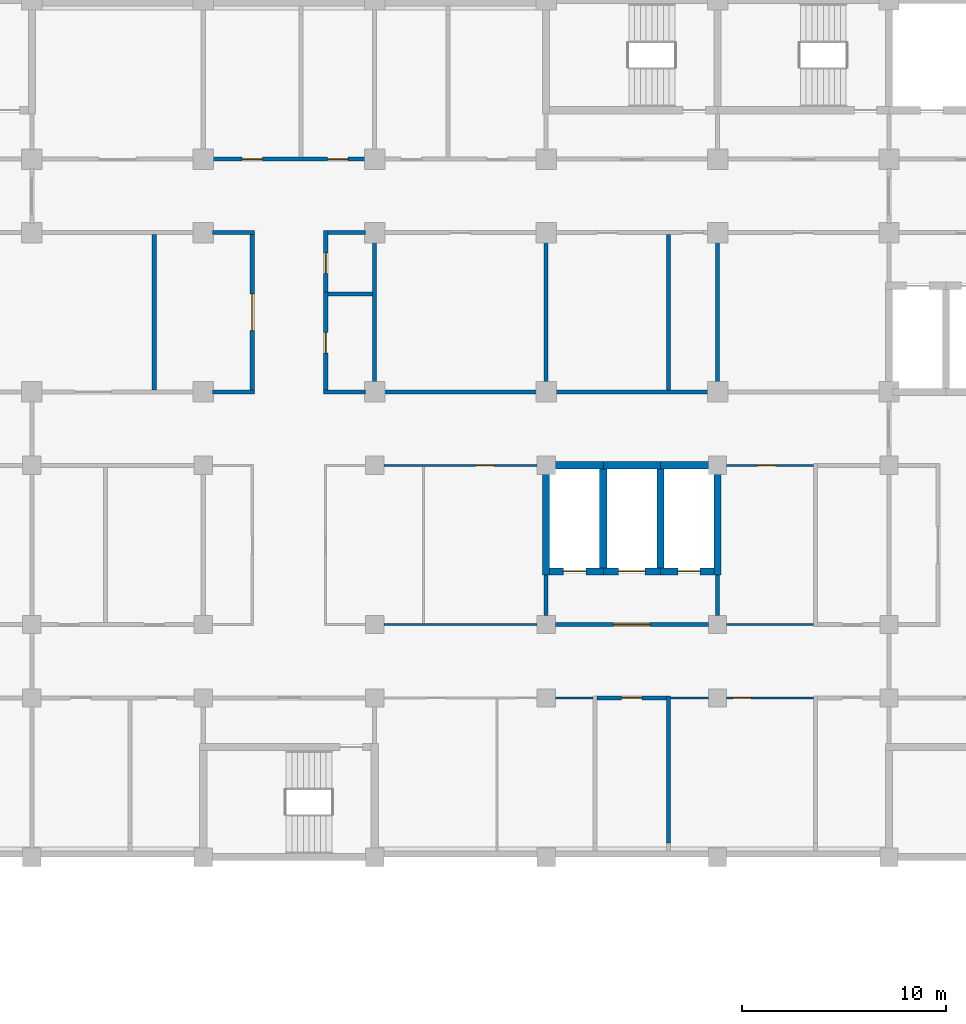
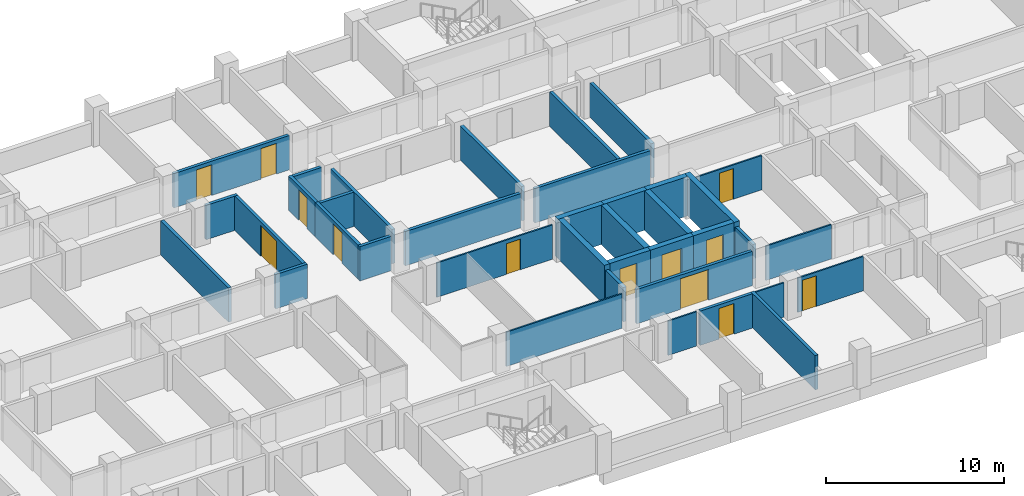
# One storey, part 50 of 89: 38 walls, 13 doors, 13 openings.
"""IFC4 building model written with IfcOpenShell, lengths in metres."""

from ifc_helpers import new_model, si_unit, direction, frame, frame_2d, origin, place, context, subcontext, project, spatial, rectangle, extrude, material, layer, layer_set, type_object, element, fill, save


model = new_model("IFC4")

# Units and contexts
model_context = context("Model", 3, precision=1e-05, world=origin(), true_north=direction((0.0, 1.0)))
body_context = subcontext(model_context, "Body", "Model", "MODEL_VIEW")
ifc_project = project(units=[si_unit("LENGTHUNIT", "METRE"), si_unit("AREAUNIT", "SQUARE_METRE"), si_unit("VOLUMEUNIT", "CUBIC_METRE"), si_unit("PLANEANGLEUNIT", "RADIAN"), si_unit("MASSUNIT", "GRAM", prefix="KILO")], contexts=[model_context])

# Site, building, storey
site_placement = place(None, origin())
site = spatial("IfcSite", under=ifc_project, at=site_placement, CompositionType="ELEMENT")
building_placement = place(site_placement, origin())
building = spatial("IfcBuilding", under=site, at=building_placement, Name="Bougainvillea Quay General Hospital", CompositionType="ELEMENT")
storey_placement = place(building_placement, frame((0.0, 0.0, 9.89990234375)))
storey = spatial("IfcBuildingStorey", under=building, at=storey_placement, Name="L01M", CompositionType="ELEMENT", Elevation=9.89990234375)

# Wall, opening, door
ifc_material_1 = material(Name="Gypsum board partition on steel studs", Category="steel")
ifc_layer_1 = layer(ifc_material_1, 0.10009765625)
ifc_layer_set_1 = layer_set([ifc_layer_1], Name="Gypsum board partition on steel studs")
wall_type_1 = type_object("IfcWallType", Name="Partition 100 Gypsum board partition", PredefinedType="PARTITIONING", material=ifc_layer_set_1)
wall_1_placement = place(storey_placement, frame((147.5, 136.800048828125, 0.0), z_axis=(0.0, 0.0, 1.0), x_axis=(-1.0, 0.0, 0.0)))
wall_1 = element("IfcWall", 1, at=wall_1_placement, inside=storey, type_object=wall_type_1, Name="Partition 100 mm", PredefinedType="PARTITIONING", context=body_context, shape_type="SweptSolid", body=[
    extrude(rectangle(XDim=4.25, YDim=0.10009765625, at=frame_2d((2.125, 0.0))), origin(), (0.0, 0.0, 1.0), 2.35009765625),
])
opening_1_placement = place(wall_1_placement, frame((1.85009765625, 0.0, 0.0)))
opening_1 = element("IfcOpeningElement", 2, at=opening_1_placement, cuts=wall_1, Name="Opening L01M.112", PredefinedType="OPENING", context=body_context, shape_type="SweptSolid", body=[
    extrude(rectangle(XDim=0.89990234375, YDim=2.10009765625, at=frame_2d((0.449951171875, 1.050048828125))), frame((0.0, 0.06005859375, 0.0), z_axis=(0.0, -1.0, 0.0), x_axis=(1.0, 0.0, 0.0)), (0.0, 0.0, 1.0), 0.1201171875),
])
ifc_material_2 = material(Name="Solid-core timber door leaf in steel frame", Category="steel")
door_type_1 = type_object("IfcDoorType", Name="Single leaf door 900x2100", OperationType="NOTDEFINED", PredefinedType="DOOR", material=ifc_material_2)
door_1_placement = place(opening_1_placement, origin())
door_1 = element("IfcDoor", 3, at=door_1_placement, inside=storey, type_object=door_type_1, Name="DT07 L01M.112", OperationType="SINGLE_SWING_RIGHT", OverallHeight=2.10009765625, OverallWidth=0.89990234375, PredefinedType="DOOR", context=body_context, shape_type="SweptSolid", body=[
    extrude(rectangle(XDim=0.89990234375, YDim=2.10009765625, at=frame_2d((0.449951171875, 1.050048828125))), frame((0.0, 0.02490234375, 0.0), z_axis=(0.0, -1.0, 0.0), x_axis=(1.0, 0.0, 0.0)), (0.0, 0.0, 1.0), 0.050048828125),
])
fill(opening_1, door_1)

wall_2_placement = place(storey_placement, frame((133.949951171875, 136.800048828125, 0.0), z_axis=(0.0, 0.0, 1.0), x_axis=(-1.0, 0.0, 0.0)))
wall_2 = element("IfcWall", 4, at=wall_2_placement, inside=storey, type_object=wall_type_1, Name="Partition 100 mm", PredefinedType="PARTITIONING", context=body_context, shape_type="SweptSolid", body=[
    extrude(rectangle(XDim=7.5, YDim=0.10009765625, at=frame_2d((3.75, 0.0))), origin(), (0.0, 0.0, 1.0), 2.35009765625),
])
opening_2_placement = place(wall_2_placement, frame((2.10009765625, 0.0, 0.0)))
opening_2 = element("IfcOpeningElement", 5, at=opening_2_placement, cuts=wall_2, Name="Opening L01M.111", PredefinedType="OPENING", context=body_context, shape_type="SweptSolid", body=[
    extrude(rectangle(XDim=0.89990234375, YDim=2.10009765625, at=frame_2d((0.449951171875, 1.050048828125))), frame((0.0, 0.06005859375, 0.0), z_axis=(0.0, -1.0, 0.0), x_axis=(1.0, 0.0, 0.0)), (0.0, 0.0, 1.0), 0.1201171875),
])
door_2_placement = place(opening_2_placement, origin())
door_2 = element("IfcDoor", 6, at=door_2_placement, inside=storey, type_object=door_type_1, Name="DT07 L01M.111", OperationType="SINGLE_SWING_LEFT", OverallHeight=2.10009765625, OverallWidth=0.89990234375, PredefinedType="DOOR", context=body_context, shape_type="SweptSolid", body=[
    extrude(rectangle(XDim=0.89990234375, YDim=2.10009765625, at=frame_2d((0.449951171875, 1.050048828125))), frame((0.0, 0.02490234375, 0.0), z_axis=(0.0, -1.0, 0.0), x_axis=(1.0, 0.0, 0.0)), (0.0, 0.0, 1.0), 0.050048828125),
])
fill(opening_2, door_2)

# Walls
wall_3_placement = place(storey_placement, frame((126.449951171875, 129.0, 0.0), z_axis=(0.0, 0.0, 1.0), x_axis=(1.0, 0.0, 0.0)))
element("IfcWall", 7, at=wall_3_placement, inside=storey, type_object=wall_type_1, Name="Partition 100 mm", PredefinedType="PARTITIONING", context=body_context, shape_type="SweptSolid", body=[
    extrude(rectangle(XDim=7.5, YDim=0.10009765625, at=frame_2d((3.75, 0.0))), origin(), (0.0, 0.0, 1.0), 2.35009765625),
])
wall_4_placement = place(storey_placement, frame((134.85009765625, 125.39990234375, 0.0), z_axis=(0.0, 0.0, 1.0), x_axis=(1.0, 0.0, 0.0)))
element("IfcWall", 8, at=wall_4_placement, inside=storey, type_object=wall_type_1, Name="Partition 100 mm", PredefinedType="PARTITIONING", context=body_context, shape_type="SweptSolid", body=[
    extrude(rectangle(XDim=1.847900390625, YDim=0.10009765625, at=frame_2d((0.923828125, 0.0))), origin(), (0.0, 0.0, 1.0), 2.35009765625),
])
wall_5_placement = place(storey_placement, frame((140.498046875, 125.39990234375, 0.0), z_axis=(0.0, 0.0, 1.0), x_axis=(1.0, 0.0, 0.0)))
element("IfcWall", 9, at=wall_5_placement, inside=storey, type_object=wall_type_1, Name="Partition 100 mm", PredefinedType="PARTITIONING", context=body_context, shape_type="SweptSolid", body=[
    extrude(rectangle(XDim=1.85205078125, YDim=0.10009765625, at=frame_2d((0.926025390625, 0.0))), origin(), (0.0, 0.0, 1.0), 2.35009765625),
])

# Wall, opening, door
wall_6_placement = place(storey_placement, frame((143.25, 125.39990234375, 0.0), z_axis=(0.0, 0.0, 1.0), x_axis=(1.0, 0.0, 0.0)))
wall_6 = element("IfcWall", 10, at=wall_6_placement, inside=storey, type_object=wall_type_1, Name="Partition 100 mm", PredefinedType="PARTITIONING", context=body_context, shape_type="SweptSolid", body=[
    extrude(rectangle(XDim=4.248046875, YDim=0.10009765625, at=frame_2d((2.1240234375, 0.0))), origin(), (0.0, 0.0, 1.0), 2.35009765625),
])
opening_3_placement = place(wall_6_placement, frame((0.298095703125, 0.0, 0.0)))
opening_3 = element("IfcOpeningElement", 11, at=opening_3_placement, cuts=wall_6, Name="Opening L01M.107", PredefinedType="OPENING", context=body_context, shape_type="SweptSolid", body=[
    extrude(rectangle(XDim=0.89990234375, YDim=2.10009765625, at=frame_2d((0.449951171875, 1.050048828125))), frame((0.0, 0.06005859375, 0.0), z_axis=(0.0, -1.0, 0.0), x_axis=(1.0, 0.0, 0.0)), (0.0, 0.0, 1.0), 0.1201171875),
])
door_3_placement = place(opening_3_placement, frame((0.89990234375, 0.0, 0.0), z_axis=(0.0, 0.0, 1.0), x_axis=(-1.0, 0.0, 0.0)))
door_3 = element("IfcDoor", 12, at=door_3_placement, inside=storey, type_object=door_type_1, Name="DT07 L01M.107", OperationType="SINGLE_SWING_RIGHT", OverallHeight=2.10009765625, OverallWidth=0.89990234375, PredefinedType="DOOR", context=body_context, shape_type="SweptSolid", body=[
    extrude(rectangle(XDim=0.89990234375, YDim=2.10009765625, at=frame_2d((0.449951171875, 1.050048828125))), frame((0.0, 0.02490234375, 0.0), z_axis=(0.0, -1.0, 0.0), x_axis=(1.0, 0.0, 0.0)), (0.0, 0.0, 1.0), 0.050048828125),
])
fill(opening_3, door_3)

# Wall
wall_7_placement = place(storey_placement, frame((143.25, 129.0, 0.0), z_axis=(0.0, 0.0, 1.0), x_axis=(1.0, 0.0, 0.0)))
element("IfcWall", 13, at=wall_7_placement, inside=storey, type_object=wall_type_1, Name="Partition 100 mm", PredefinedType="PARTITIONING", context=body_context, shape_type="SweptSolid", body=[
    extrude(rectangle(XDim=4.25, YDim=0.10009765625, at=frame_2d((2.125, 0.0))), origin(), (0.0, 0.0, 1.0), 2.35009765625),
])

# Wall, openings, doors
ifc_material_3 = material(Name="Fire-rated autoclaved aerated block wall, plastered")
ifc_layer_2 = layer(ifc_material_3, 0.199951171875)
ifc_layer_set_2 = layer_set([ifc_layer_2], Name="Fire-rated autoclaved aerated block wall, plastered")
wall_type_2 = type_object("IfcWallType", Name="Partition 200 Fire-rated autoclaved aerated block wall EI 120", PredefinedType="SOLIDWALL", material=ifc_layer_set_2)
wall_8_placement = place(storey_placement, frame((125.550048828125, 151.800048828125, 0.0), z_axis=(0.0, 0.0, 1.0), x_axis=(-1.0, 0.0, 0.0)))
wall_8 = element("IfcWall", 14, at=wall_8_placement, inside=storey, type_object=wall_type_2, Name="Partition 200 mm EI 120", PredefinedType="SOLIDWALL", context=body_context, shape_type="SweptSolid", body=[
    extrude(rectangle(XDim=7.5, YDim=0.199951171875, at=frame_2d((3.75, 0.0))), origin(), (0.0, 0.0, 1.0), 2.35009765625),
])
opening_4_placement = place(wall_8_placement, frame((5.052001953125, 0.0, 0.0)))
opening_4 = element("IfcOpeningElement", 15, at=opening_4_placement, cuts=wall_8, Name="Opening L01M.142", PredefinedType="OPENING", context=body_context, shape_type="SweptSolid", body=[
    extrude(rectangle(XDim=1.0, YDim=2.10009765625, at=frame_2d((0.5, 1.050048828125))), frame((0.0, 0.10986328125, 0.0), z_axis=(0.0, -1.0, 0.0), x_axis=(1.0, 0.0, 0.0)), (0.0, 0.0, 1.0), 0.219970703125),
])
opening_5_placement = place(wall_8_placement, frame((0.85107421875, 0.0, 0.0)))
opening_5 = element("IfcOpeningElement", 16, at=opening_5_placement, cuts=wall_8, Name="Opening L01M.143", PredefinedType="OPENING", context=body_context, shape_type="SweptSolid", body=[
    extrude(rectangle(XDim=1.0, YDim=2.10009765625, at=frame_2d((0.5, 1.050048828125))), frame((0.0, 0.10986328125, 0.0), z_axis=(0.0, -1.0, 0.0), x_axis=(1.0, 0.0, 0.0)), (0.0, 0.0, 1.0), 0.219970703125),
])
ifc_material_4 = material(Name="Steel fire door leaf in steel frame", Category="steel")
door_type_2 = type_object("IfcDoorType", Name="Steel single leaf door 1000x2100 FD90", OperationType="NOTDEFINED", PredefinedType="DOOR", material=ifc_material_4)
door_4_placement = place(opening_4_placement, frame((1.0, 0.0, 0.0), z_axis=(0.0, 0.0, 1.0), x_axis=(-1.0, 0.0, 0.0)))
door_4 = element("IfcDoor", 17, at=door_4_placement, inside=storey, type_object=door_type_2, Name="DT11 L01M.142", OperationType="SINGLE_SWING_LEFT", OverallHeight=2.10009765625, OverallWidth=1.0, PredefinedType="DOOR", context=body_context, shape_type="SweptSolid", body=[
    extrude(rectangle(XDim=1.0, YDim=2.10009765625, at=frame_2d((0.5, 1.050048828125))), frame((0.0, 0.02490234375, 0.0), z_axis=(0.0, -1.0, 0.0), x_axis=(1.0, 0.0, 0.0)), (0.0, 0.0, 1.0), 0.050048828125),
])
fill(opening_4, door_4)
door_5_placement = place(opening_5_placement, frame((1.0, 0.0, 0.0), z_axis=(0.0, 0.0, 1.0), x_axis=(-1.0, 0.0, 0.0)))
door_5 = element("IfcDoor", 18, at=door_5_placement, inside=storey, type_object=door_type_2, Name="DT11 L01M.143", OperationType="SINGLE_SWING_RIGHT", OverallHeight=2.10009765625, OverallWidth=1.0, PredefinedType="DOOR", context=body_context, shape_type="SweptSolid", body=[
    extrude(rectangle(XDim=1.0, YDim=2.10009765625, at=frame_2d((0.5, 1.050048828125))), frame((0.0, 0.02490234375, 0.0), z_axis=(0.0, -1.0, 0.0), x_axis=(1.0, 0.0, 0.0)), (0.0, 0.0, 1.0), 0.050048828125),
])
fill(opening_5, door_5)

# Walls
for number, where, z_axis, x_axis, name in (
    (19, (142.35009765625, 140.39990234375, 0.0), (0.0, 0.0, 1.0), (-1.0, 0.0, 0.0), "Partition 200 mm EI 120"),
    (20, (133.949951171875, 140.39990234375, 0.0), (0.0, 0.0, 1.0), (-1.0, 0.0, 0.0), "Partition 200 mm EI 120"),
):
    element("IfcWall", number, at=place(storey_placement, frame(where, z_axis=z_axis, x_axis=x_axis)), inside=storey, type_object=wall_type_2, Name=name, PredefinedType="SOLIDWALL", context=body_context, shape_type="SweptSolid", body=[
        extrude(rectangle(XDim=7.5, YDim=0.199951171875, at=frame_2d((3.75, 0.0))), origin(), (0.0, 0.0, 1.0), 2.35009765625),
    ])
for number, where, z_axis, x_axis, name in (
    (21, (125.550048828125, 140.39990234375, 0.0), (0.0, 0.0, 1.0), (-1.0, 0.0, 0.0), "Partition 200 mm EI 120"),
    (22, (120.10009765625, 140.39990234375, 0.0), (0.0, 0.0, 1.0), (-1.0, 0.0, 0.0), "Partition 200 mm EI 120"),
    (23, (120.10009765625, 148.199951171875, 0.0), (0.0, 0.0, 1.0), (-1.0, 0.0, 0.0), "Partition 200 mm EI 120"),
):
    element("IfcWall", number, at=place(storey_placement, frame(where, z_axis=z_axis, x_axis=x_axis)), inside=storey, type_object=wall_type_2, Name=name, PredefinedType="SOLIDWALL", context=body_context, shape_type="SweptSolid", body=[
        extrude(rectangle(XDim=2.050048828125, YDim=0.199951171875, at=frame_2d((1.02490234375, 0.0))), origin(), (0.0, 0.0, 1.0), 2.35009765625),
    ])

# Wall, opening, door
wall_9_placement = place(storey_placement, frame((134.85009765625, 129.0, 0.0), z_axis=(0.0, 0.0, 1.0), x_axis=(1.0, 0.0, 0.0)))
wall_9 = element("IfcWall", 24, at=wall_9_placement, inside=storey, type_object=wall_type_2, Name="Partition 200 mm EI 120", PredefinedType="SOLIDWALL", context=body_context, shape_type="SweptSolid", body=[
    extrude(rectangle(XDim=7.5, YDim=0.199951171875, at=frame_2d((3.75, 0.0))), origin(), (0.0, 0.0, 1.0), 2.35009765625),
])
opening_6_placement = place(wall_9_placement, frame((2.85009765625, 0.0, 0.0)))
opening_6 = element("IfcOpeningElement", 25, at=opening_6_placement, cuts=wall_9, Name="Opening L01M.046", PredefinedType="OPENING", context=body_context, shape_type="SweptSolid", body=[
    extrude(rectangle(XDim=1.800048828125, YDim=2.10009765625, at=frame_2d((0.89990234375, 1.050048828125))), frame((0.0, 0.10986328125, 0.0), z_axis=(0.0, -1.0, 0.0), x_axis=(1.0, 0.0, 0.0)), (0.0, 0.0, 1.0), 0.219970703125),
])
ifc_material_5 = material(Name="Steel fire door leaves in steel frame", Category="steel")
door_type_3 = type_object("IfcDoorType", Name="Steel double leaf door 1800x2100 FD60", OperationType="DOUBLE_DOOR_SINGLE_SWING", PredefinedType="DOOR", material=ifc_material_5)
door_6_placement = place(opening_6_placement, origin())
door_6 = element("IfcDoor", 26, at=door_6_placement, inside=storey, type_object=door_type_3, Name="DT05 L01M.046", OperationType="DOUBLE_DOOR_SINGLE_SWING", OverallHeight=2.10009765625, OverallWidth=1.800048828125, PredefinedType="DOOR", context=body_context, shape_type="SweptSolid", body=[
    extrude(rectangle(XDim=1.800048828125, YDim=2.10009765625, at=frame_2d((0.89990234375, 1.050048828125))), frame((0.0, 0.02490234375, 0.0), z_axis=(0.0, -1.0, 0.0), x_axis=(1.0, 0.0, 0.0)), (0.0, 0.0, 1.0), 0.050048828125),
])
fill(opening_6, door_6)

# Wall
wall_10_placement = place(storey_placement, frame((115.199951171875, 140.5, 0.0), z_axis=(0.0, 0.0, 1.0), x_axis=(0.0, 1.0, 0.0)))
element("IfcWall", 27, at=wall_10_placement, inside=storey, type_object=wall_type_2, Name="Partition 200 mm EI 120", PredefinedType="SOLIDWALL", context=body_context, shape_type="SweptSolid", body=[
    extrude(rectangle(XDim=7.60009765625, YDim=0.199951171875, at=frame_2d((3.800048828125, 0.0))), origin(), (0.0, 0.0, 1.0), 2.35009765625),
])

# Wall, opening, door
wall_11_placement = place(storey_placement, frame((120.0, 140.5, 0.0), z_axis=(0.0, 0.0, 1.0), x_axis=(0.0, 1.0, 0.0)))
wall_11 = element("IfcWall", 28, at=wall_11_placement, inside=storey, type_object=wall_type_2, Name="Partition 200 mm EI 120", PredefinedType="SOLIDWALL", context=body_context, shape_type="SweptSolid", body=[
    extrude(rectangle(XDim=7.60009765625, YDim=0.199951171875, at=frame_2d((3.800048828125, 0.0))), origin(), (0.0, 0.0, 1.0), 2.35009765625),
])
opening_7_placement = place(wall_11_placement, frame((2.89990234375, 0.0, 0.0)))
opening_7 = element("IfcOpeningElement", 29, at=opening_7_placement, cuts=wall_11, Name="Opening L01M.146", PredefinedType="OPENING", context=body_context, shape_type="SweptSolid", body=[
    extrude(rectangle(XDim=1.800048828125, YDim=2.10009765625, at=frame_2d((0.89990234375, 1.050048828125))), frame((0.0, 0.10986328125, 0.0), z_axis=(0.0, -1.0, 0.0), x_axis=(1.0, 0.0, 0.0)), (0.0, 0.0, 1.0), 0.219970703125),
])
door_type_4 = type_object("IfcDoorType", Name="Steel double leaf door 1800x2100 FD90", OperationType="DOUBLE_DOOR_SINGLE_SWING", PredefinedType="DOOR", material=ifc_material_5)
door_7_placement = place(opening_7_placement, origin())
door_7 = element("IfcDoor", 30, at=door_7_placement, inside=storey, type_object=door_type_4, Name="DT03 L01M.146", OperationType="DOUBLE_DOOR_SINGLE_SWING", OverallHeight=2.10009765625, OverallWidth=1.800048828125, PredefinedType="DOOR", context=body_context, shape_type="SweptSolid", body=[
    extrude(rectangle(XDim=1.800048828125, YDim=2.10009765625, at=frame_2d((0.89990234375, 1.050048828125))), frame((0.0, 0.02490234375, 0.0), z_axis=(0.0, -1.0, 0.0), x_axis=(1.0, 0.0, 0.0)), (0.0, 0.0, 1.0), 0.050048828125),
])
fill(opening_7, door_7)

# Walls
for number, where, z_axis, x_axis, name in (
    (31, (126.0, 140.85009765625, 0.0), (0.0, 0.0, 1.0), (0.0, 1.0, 0.0), "Partition 200 mm EI 120"),
    (32, (134.39990234375, 140.85009765625, 0.0), (0.0, 0.0, 1.0), (0.0, 1.0, 0.0), "Partition 200 mm EI 120"),
):
    element("IfcWall", number, at=place(storey_placement, frame(where, z_axis=z_axis, x_axis=x_axis)), inside=storey, type_object=wall_type_2, Name=name, PredefinedType="SOLIDWALL", context=body_context, shape_type="SweptSolid", body=[
        extrude(rectangle(XDim=6.89990234375, YDim=0.199951171875, at=frame_2d((3.449951171875, 0.0))), origin(), (0.0, 0.0, 1.0), 2.35009765625),
    ])
wall_12_placement = place(storey_placement, frame((140.39990234375, 140.5, 0.0), z_axis=(0.0, 0.0, 1.0), x_axis=(0.0, 1.0, 0.0)))
element("IfcWall", 33, at=wall_12_placement, inside=storey, type_object=wall_type_2, Name="Partition 200 mm EI 120", PredefinedType="SOLIDWALL", context=body_context, shape_type="SweptSolid", body=[
    extrude(rectangle(XDim=7.60009765625, YDim=0.199951171875, at=frame_2d((3.800048828125, 0.0))), origin(), (0.0, 0.0, 1.0), 2.35009765625),
])
wall_13_placement = place(storey_placement, frame((142.800048828125, 140.85009765625, 0.0), z_axis=(0.0, 0.0, 1.0), x_axis=(0.0, 1.0, 0.0)))
element("IfcWall", 34, at=wall_13_placement, inside=storey, type_object=wall_type_2, Name="Partition 200 mm EI 120", PredefinedType="SOLIDWALL", context=body_context, shape_type="SweptSolid", body=[
    extrude(rectangle(XDim=6.89990234375, YDim=0.199951171875, at=frame_2d((3.449951171875, 0.0))), origin(), (0.0, 0.0, 1.0), 2.35009765625),
])

# Wall, opening, door
wall_14_placement = place(storey_placement, frame((123.60009765625, 140.5, 0.0), z_axis=(0.0, 0.0, 1.0), x_axis=(0.0, 1.0, 0.0)))
wall_14 = element("IfcWall", 35, at=wall_14_placement, inside=storey, type_object=wall_type_2, Name="Partition 200 mm EI 120", PredefinedType="SOLIDWALL", context=body_context, shape_type="SweptSolid", body=[
    extrude(rectangle(XDim=4.800048828125, YDim=0.199951171875, at=frame_2d((2.39990234375, 0.0))), origin(), (0.0, 0.0, 1.0), 2.35009765625),
])
opening_8_placement = place(wall_14_placement, frame((1.800048828125, 0.0, 0.0)))
opening_8 = element("IfcOpeningElement", 36, at=opening_8_placement, cuts=wall_14, Name="Opening L01M.147", PredefinedType="OPENING", context=body_context, shape_type="SweptSolid", body=[
    extrude(rectangle(XDim=1.0, YDim=2.10009765625, at=frame_2d((0.5, 1.050048828125))), frame((0.0, 0.10986328125, 0.0), z_axis=(0.0, -1.0, 0.0), x_axis=(1.0, 0.0, 0.0)), (0.0, 0.0, 1.0), 0.219970703125),
])
door_8_placement = place(opening_8_placement, frame((1.0, 0.0, 0.0), z_axis=(0.0, 0.0, 1.0), x_axis=(-1.0, 0.0, 0.0)))
door_8 = element("IfcDoor", 37, at=door_8_placement, inside=storey, type_object=door_type_2, Name="DT11 L01M.147", OperationType="SINGLE_SWING_RIGHT", OverallHeight=2.10009765625, OverallWidth=1.0, PredefinedType="DOOR", context=body_context, shape_type="SweptSolid", body=[
    extrude(rectangle(XDim=1.0, YDim=2.10009765625, at=frame_2d((0.5, 1.050048828125))), frame((0.0, 0.02490234375, 0.0), z_axis=(0.0, -1.0, 0.0), x_axis=(1.0, 0.0, 0.0)), (0.0, 0.0, 1.0), 0.050048828125),
])
fill(opening_8, door_8)

# Walls
for number, where, z_axis, x_axis, name in (
    (38, (134.39990234375, 129.449951171875, 0.0), (0.0, 0.0, 1.0), (0.0, 1.0, 0.0), "Partition 200 mm EI 120"),
    (39, (142.800048828125, 129.449951171875, 0.0), (0.0, 0.0, 1.0), (0.0, 1.0, 0.0), "Partition 200 mm EI 120"),
):
    element("IfcWall", number, at=place(storey_placement, frame(where, z_axis=z_axis, x_axis=x_axis)), inside=storey, type_object=wall_type_2, Name=name, PredefinedType="SOLIDWALL", context=body_context, shape_type="SweptSolid", body=[
        extrude(rectangle(XDim=1.97509765625, YDim=0.199951171875, at=frame_2d((0.987548828125, 0.0))), origin(), (0.0, 0.0, 1.0), 2.35009765625),
    ])
wall_15_placement = place(storey_placement, frame((123.699951171875, 145.199951171875, 0.0), z_axis=(0.0, 0.0, 1.0), x_axis=(1.0, 0.0, 0.0)))
element("IfcWall", 40, at=wall_15_placement, inside=storey, type_object=wall_type_2, Name="Partition 200 mm EI 120", PredefinedType="SOLIDWALL", context=body_context, shape_type="SweptSolid", body=[
    extrude(rectangle(XDim=2.199951171875, YDim=0.199951171875, at=frame_2d((1.10009765625, 0.0))), origin(), (0.0, 0.0, 1.0), 2.35009765625),
])
ifc_layer_3 = layer(ifc_material_3, 0.199951171875)
ifc_layer_set_3 = layer_set([ifc_layer_3], Name="Fire-rated autoclaved aerated block wall, plastered")
wall_type_3 = type_object("IfcWallType", Name="Partition 200 Fire-rated autoclaved aerated block wall EI 60", PredefinedType="SOLIDWALL", material=ifc_layer_set_3)
wall_16_placement = place(storey_placement, frame((140.39794921875, 118.300048828125, 0.0), z_axis=(0.0, 0.0, 1.0), x_axis=(0.0, 1.0, 0.0)))
element("IfcWall", 41, at=wall_16_placement, inside=storey, type_object=wall_type_3, Name="Partition 200 mm EI 60", PredefinedType="SOLIDWALL", context=body_context, shape_type="SweptSolid", body=[
    extrude(rectangle(XDim=7.199951171875, YDim=0.199951171875, at=frame_2d((3.60009765625, 0.0))), origin(), (0.0, 0.0, 1.0), 2.35009765625),
])

# Wall, opening, door
wall_17_placement = place(storey_placement, frame((136.89794921875, 125.39990234375, 0.0), z_axis=(0.0, 0.0, 1.0), x_axis=(1.0, 0.0, 0.0)))
wall_17 = element("IfcWall", 42, at=wall_17_placement, inside=storey, type_object=wall_type_3, Name="Partition 200 mm EI 60", PredefinedType="SOLIDWALL", context=body_context, shape_type="SweptSolid", body=[
    extrude(rectangle(XDim=3.400146484375, YDim=0.199951171875, at=frame_2d((1.7001953125, 0.0))), origin(), (0.0, 0.0, 1.0), 2.35009765625),
])
opening_9_placement = place(wall_17_placement, frame((1.199951171875, 0.0, 0.0)))
opening_9 = element("IfcOpeningElement", 43, at=opening_9_placement, cuts=wall_17, Name="Opening L01M.106", PredefinedType="OPENING", context=body_context, shape_type="SweptSolid", body=[
    extrude(rectangle(XDim=1.0, YDim=2.10009765625, at=frame_2d((0.5, 1.050048828125))), frame((0.0, 0.10986328125, 0.0), z_axis=(0.0, -1.0, 0.0), x_axis=(1.0, 0.0, 0.0)), (0.0, 0.0, 1.0), 0.219970703125),
])
door_type_5 = type_object("IfcDoorType", Name="Steel single leaf door 1000x2100 FD60", OperationType="NOTDEFINED", PredefinedType="DOOR", material=ifc_material_4)
door_9_placement = place(opening_9_placement, frame((1.0, 0.0, 0.0), z_axis=(0.0, 0.0, 1.0), x_axis=(-1.0, 0.0, 0.0)))
door_9 = element("IfcDoor", 44, at=door_9_placement, inside=storey, type_object=door_type_5, Name="DT10 L01M.106", OperationType="SINGLE_SWING_RIGHT", OverallHeight=2.10009765625, OverallWidth=1.0, PredefinedType="DOOR", context=body_context, shape_type="SweptSolid", body=[
    extrude(rectangle(XDim=1.0, YDim=2.10009765625, at=frame_2d((0.5, 1.050048828125))), frame((0.0, 0.02490234375, 0.0), z_axis=(0.0, -1.0, 0.0), x_axis=(1.0, 0.0, 0.0)), (0.0, 0.0, 1.0), 0.050048828125),
])
fill(opening_9, door_9)

wall_18_placement = place(storey_placement, frame((123.60009765625, 145.300048828125, 0.0), z_axis=(0.0, 0.0, 1.0), x_axis=(0.0, 1.0, 0.0)))
wall_18 = element("IfcWall", 45, at=wall_18_placement, inside=storey, type_object=wall_type_3, Name="Partition 200 mm EI 60", PredefinedType="SOLIDWALL", context=body_context, shape_type="SweptSolid", body=[
    extrude(rectangle(XDim=3.0, YDim=0.199951171875, at=frame_2d((1.5, 0.0))), origin(), (0.0, 0.0, 1.0), 2.35009765625),
])
opening_10_placement = place(wall_18_placement, frame((0.89990234375, 0.0, 0.0)))
opening_10 = element("IfcOpeningElement", 46, at=opening_10_placement, cuts=wall_18, Name="Opening L01M.148", PredefinedType="OPENING", context=body_context, shape_type="SweptSolid", body=[
    extrude(rectangle(XDim=1.0, YDim=2.10009765625, at=frame_2d((0.5, 1.050048828125))), frame((0.0, 0.10986328125, 0.0), z_axis=(0.0, -1.0, 0.0), x_axis=(1.0, 0.0, 0.0)), (0.0, 0.0, 1.0), 0.219970703125),
])
door_10_placement = place(opening_10_placement, frame((1.0, 0.0, 0.0), z_axis=(0.0, 0.0, 1.0), x_axis=(-1.0, 0.0, 0.0)))
door_10 = element("IfcDoor", 47, at=door_10_placement, inside=storey, type_object=door_type_5, Name="DT10 L01M.148", OperationType="SINGLE_SWING_RIGHT", OverallHeight=2.10009765625, OverallWidth=1.0, PredefinedType="DOOR", context=body_context, shape_type="SweptSolid", body=[
    extrude(rectangle(XDim=1.0, YDim=2.10009765625, at=frame_2d((0.5, 1.050048828125))), frame((0.0, 0.02490234375, 0.0), z_axis=(0.0, -1.0, 0.0), x_axis=(1.0, 0.0, 0.0)), (0.0, 0.0, 1.0), 0.050048828125),
])
fill(opening_10, door_10)

# Walls
wall_19_placement = place(storey_placement, frame((123.699951171875, 148.199951171875, 0.0), z_axis=(0.0, 0.0, 1.0), x_axis=(1.0, 0.0, 0.0)))
element("IfcWall", 48, at=wall_19_placement, inside=storey, type_object=wall_type_3, Name="Partition 200 mm EI 60", PredefinedType="SOLIDWALL", context=body_context, shape_type="SweptSolid", body=[
    extrude(rectangle(XDim=1.85009765625, YDim=0.199951171875, at=frame_2d((0.925048828125, 0.0))), origin(), (0.0, 0.0, 1.0), 2.35009765625),
])
ifc_material_6 = material(Name="Concrete C40", Category="concrete")
ifc_layer_4 = layer(ifc_material_6, 0.35009765625)
ifc_layer_set_4 = layer_set([ifc_layer_4], Name="Concrete C40")
wall_type_4 = type_object("IfcWallType", Name="RC SHEAR WALL 350 C40", PredefinedType="SHEAR", material=ifc_layer_set_4)
wall_20_placement = place(storey_placement, frame((134.22509765625, 136.800048828125, 0.0), z_axis=(0.0, 0.0, 1.0), x_axis=(1.0, 0.0, 0.0)))
element("IfcWall", 49, at=wall_20_placement, inside=storey, type_object=wall_type_4, Name="Shear wall L01M", PredefinedType="SHEAR", context=body_context, shape_type="SweptSolid", body=[
    extrude(rectangle(XDim=2.974853515625, YDim=0.35009765625, at=frame_2d((1.4873046875, 0.0))), origin(), (0.0, 0.0, 1.0), 2.7001953125),
])
wall_21_placement = place(storey_placement, frame((134.39990234375, 131.425048828125, 0.0), z_axis=(0.0, 0.0, 1.0), x_axis=(0.0, 1.0, 0.0)))
element("IfcWall", 50, at=wall_21_placement, inside=storey, type_object=wall_type_4, Name="Shear wall L01M", PredefinedType="SHEAR", context=body_context, shape_type="SweptSolid", body=[
    extrude(rectangle(XDim=5.199951171875, YDim=0.35009765625, at=frame_2d((2.60009765625, 0.0))), origin(), (0.0, 0.0, 1.0), 2.7001953125),
])

# Wall, opening, door
wall_22_placement = place(storey_placement, frame((134.574951171875, 131.60009765625, 0.0), z_axis=(0.0, 0.0, 1.0), x_axis=(1.0, 0.0, 0.0)))
wall_22 = element("IfcWall", 51, at=wall_22_placement, inside=storey, type_object=wall_type_4, Name="Shear wall L01M", PredefinedType="SHEAR", context=body_context, shape_type="SweptSolid", body=[
    extrude(rectangle(XDim=2.625, YDim=0.35009765625, at=frame_2d((1.3125, 0.0))), origin(), (0.0, 0.0, 1.0), 2.7001953125),
])
opening_11_placement = place(wall_22_placement, frame((0.675048828125, 0.0, 0.0)))
opening_11 = element("IfcOpeningElement", 52, at=opening_11_placement, cuts=wall_22, Name="Opening LD-B2.1-L01M", PredefinedType="OPENING", context=body_context, shape_type="SweptSolid", body=[
    extrude(rectangle(XDim=1.10009765625, YDim=2.10009765625, at=frame_2d((0.550048828125, 1.050048828125))), frame((0.0, 0.18505859375, 0.0), z_axis=(0.0, -1.0, 0.0), x_axis=(1.0, 0.0, 0.0)), (0.0, 0.0, 1.0), 0.3701171875),
])
ifc_material_7 = material(Name="Stainless steel centre-opening landing door", Category="steel")
door_type_6 = type_object("IfcDoorType", Name="Lift landing door 1100x2100 E 120", OperationType="DOUBLE_DOOR_SLIDING", PredefinedType="DOOR", material=ifc_material_7)
door_11_placement = place(opening_11_placement, origin())
door_11 = element("IfcDoor", 53, at=door_11_placement, inside=storey, type_object=door_type_6, Name="Lift landing door LB-B2-1 L01M", OperationType="DOUBLE_DOOR_SLIDING", OverallHeight=2.10009765625, OverallWidth=1.10009765625, PredefinedType="DOOR", context=body_context, shape_type="SweptSolid", body=[
    extrude(rectangle(XDim=1.10009765625, YDim=2.10009765625, at=frame_2d((0.550048828125, 1.050048828125))), frame((0.0, 0.02490234375, 0.0), z_axis=(0.0, -1.0, 0.0), x_axis=(1.0, 0.0, 0.0)), (0.0, 0.0, 1.0), 0.050048828125),
])
fill(opening_11, door_11)

wall_23_placement = place(storey_placement, frame((137.199951171875, 131.60009765625, 0.0), z_axis=(0.0, 0.0, 1.0), x_axis=(1.0, 0.0, 0.0)))
wall_23 = element("IfcWall", 54, at=wall_23_placement, inside=storey, type_object=wall_type_4, Name="Shear wall L01M", PredefinedType="SHEAR", context=body_context, shape_type="SweptSolid", body=[
    extrude(rectangle(XDim=2.800048828125, YDim=0.35009765625, at=frame_2d((1.39990234375, 0.0))), origin(), (0.0, 0.0, 1.0), 2.7001953125),
])
opening_12_placement = place(wall_23_placement, frame((0.75, 0.0, 0.0)))
opening_12 = element("IfcOpeningElement", 55, at=opening_12_placement, cuts=wall_23, Name="Opening LD-B2.2-L01M", PredefinedType="OPENING", context=body_context, shape_type="SweptSolid", body=[
    extrude(rectangle(XDim=1.300048828125, YDim=2.10009765625, at=frame_2d((0.64990234375, 1.050048828125))), frame((0.0, 0.18505859375, 0.0), z_axis=(0.0, -1.0, 0.0), x_axis=(1.0, 0.0, 0.0)), (0.0, 0.0, 1.0), 0.3701171875),
])
door_type_7 = type_object("IfcDoorType", Name="Lift landing door 1300x2100 E 120", OperationType="DOUBLE_DOOR_SLIDING", PredefinedType="DOOR", material=ifc_material_7)
door_12_placement = place(opening_12_placement, origin())
door_12 = element("IfcDoor", 56, at=door_12_placement, inside=storey, type_object=door_type_7, Name="Lift landing door LB-B2-2 L01M", OperationType="DOUBLE_DOOR_SLIDING", OverallHeight=2.10009765625, OverallWidth=1.300048828125, PredefinedType="DOOR", context=body_context, shape_type="SweptSolid", body=[
    extrude(rectangle(XDim=1.300048828125, YDim=2.10009765625, at=frame_2d((0.64990234375, 1.050048828125))), frame((0.0, 0.02490234375, 0.0), z_axis=(0.0, -1.0, 0.0), x_axis=(1.0, 0.0, 0.0)), (0.0, 0.0, 1.0), 0.050048828125),
])
fill(opening_12, door_12)

# Walls
wall_24_placement = place(storey_placement, frame((137.199951171875, 131.77490234375, 0.0), z_axis=(0.0, 0.0, 1.0), x_axis=(0.0, 1.0, 0.0)))
element("IfcWall", 57, at=wall_24_placement, inside=storey, type_object=wall_type_4, Name="Shear wall L01M", PredefinedType="SHEAR", context=body_context, shape_type="SweptSolid", body=[
    extrude(rectangle(XDim=4.85009765625, YDim=0.35009765625, at=frame_2d((2.425048828125, 0.0))), origin(), (0.0, 0.0, 1.0), 2.7001953125),
])
wall_25_placement = place(storey_placement, frame((137.199951171875, 136.800048828125, 0.0), z_axis=(0.0, 0.0, 1.0), x_axis=(1.0, 0.0, 0.0)))
element("IfcWall", 58, at=wall_25_placement, inside=storey, type_object=wall_type_4, Name="Shear wall L01M", PredefinedType="SHEAR", context=body_context, shape_type="SweptSolid", body=[
    extrude(rectangle(XDim=2.800048828125, YDim=0.35009765625, at=frame_2d((1.39990234375, 0.0))), origin(), (0.0, 0.0, 1.0), 2.7001953125),
])

# Wall, opening, door
wall_26_placement = place(storey_placement, frame((140.0, 131.60009765625, 0.0), z_axis=(0.0, 0.0, 1.0), x_axis=(1.0, 0.0, 0.0)))
wall_26 = element("IfcWall", 59, at=wall_26_placement, inside=storey, type_object=wall_type_4, Name="Shear wall L01M", PredefinedType="SHEAR", context=body_context, shape_type="SweptSolid", body=[
    extrude(rectangle(XDim=2.625, YDim=0.35009765625, at=frame_2d((1.3125, 0.0))), origin(), (0.0, 0.0, 1.0), 2.7001953125),
])
opening_13_placement = place(wall_26_placement, frame((0.85009765625, 0.0, 0.0)))
opening_13 = element("IfcOpeningElement", 60, at=opening_13_placement, cuts=wall_26, Name="Opening LD-B2.3-L01M", PredefinedType="OPENING", context=body_context, shape_type="SweptSolid", body=[
    extrude(rectangle(XDim=1.10009765625, YDim=2.10009765625, at=frame_2d((0.550048828125, 1.050048828125))), frame((0.0, 0.18505859375, 0.0), z_axis=(0.0, -1.0, 0.0), x_axis=(1.0, 0.0, 0.0)), (0.0, 0.0, 1.0), 0.3701171875),
])
door_13_placement = place(opening_13_placement, origin())
door_13 = element("IfcDoor", 61, at=door_13_placement, inside=storey, type_object=door_type_6, Name="Lift landing door LB-B2-3 L01M", OperationType="DOUBLE_DOOR_SLIDING", OverallHeight=2.10009765625, OverallWidth=1.10009765625, PredefinedType="DOOR", context=body_context, shape_type="SweptSolid", body=[
    extrude(rectangle(XDim=1.10009765625, YDim=2.10009765625, at=frame_2d((0.550048828125, 1.050048828125))), frame((0.0, 0.02490234375, 0.0), z_axis=(0.0, -1.0, 0.0), x_axis=(1.0, 0.0, 0.0)), (0.0, 0.0, 1.0), 0.050048828125),
])
fill(opening_13, door_13)

# Walls
wall_27_placement = place(storey_placement, frame((140.0, 131.77490234375, 0.0), z_axis=(0.0, 0.0, 1.0), x_axis=(0.0, 1.0, 0.0)))
element("IfcWall", 62, at=wall_27_placement, inside=storey, type_object=wall_type_4, Name="Shear wall L01M", PredefinedType="SHEAR", context=body_context, shape_type="SweptSolid", body=[
    extrude(rectangle(XDim=4.85009765625, YDim=0.35009765625, at=frame_2d((2.425048828125, 0.0))), origin(), (0.0, 0.0, 1.0), 2.7001953125),
])
wall_28_placement = place(storey_placement, frame((140.0, 136.800048828125, 0.0), z_axis=(0.0, 0.0, 1.0), x_axis=(1.0, 0.0, 0.0)))
element("IfcWall", 63, at=wall_28_placement, inside=storey, type_object=wall_type_4, Name="Shear wall L01M", PredefinedType="SHEAR", context=body_context, shape_type="SweptSolid", body=[
    extrude(rectangle(XDim=2.625, YDim=0.35009765625, at=frame_2d((1.3125, 0.0))), origin(), (0.0, 0.0, 1.0), 2.7001953125),
])
wall_29_placement = place(storey_placement, frame((142.800048828125, 131.425048828125, 0.0), z_axis=(0.0, 0.0, 1.0), x_axis=(0.0, 1.0, 0.0)))
element("IfcWall", 64, at=wall_29_placement, inside=storey, type_object=wall_type_4, Name="Shear wall L01M", PredefinedType="SHEAR", context=body_context, shape_type="SweptSolid", body=[
    extrude(rectangle(XDim=5.550048828125, YDim=0.35009765625, at=frame_2d((2.77490234375, 0.0))), origin(), (0.0, 0.0, 1.0), 2.7001953125),
])

save(model, "model.ifc")
